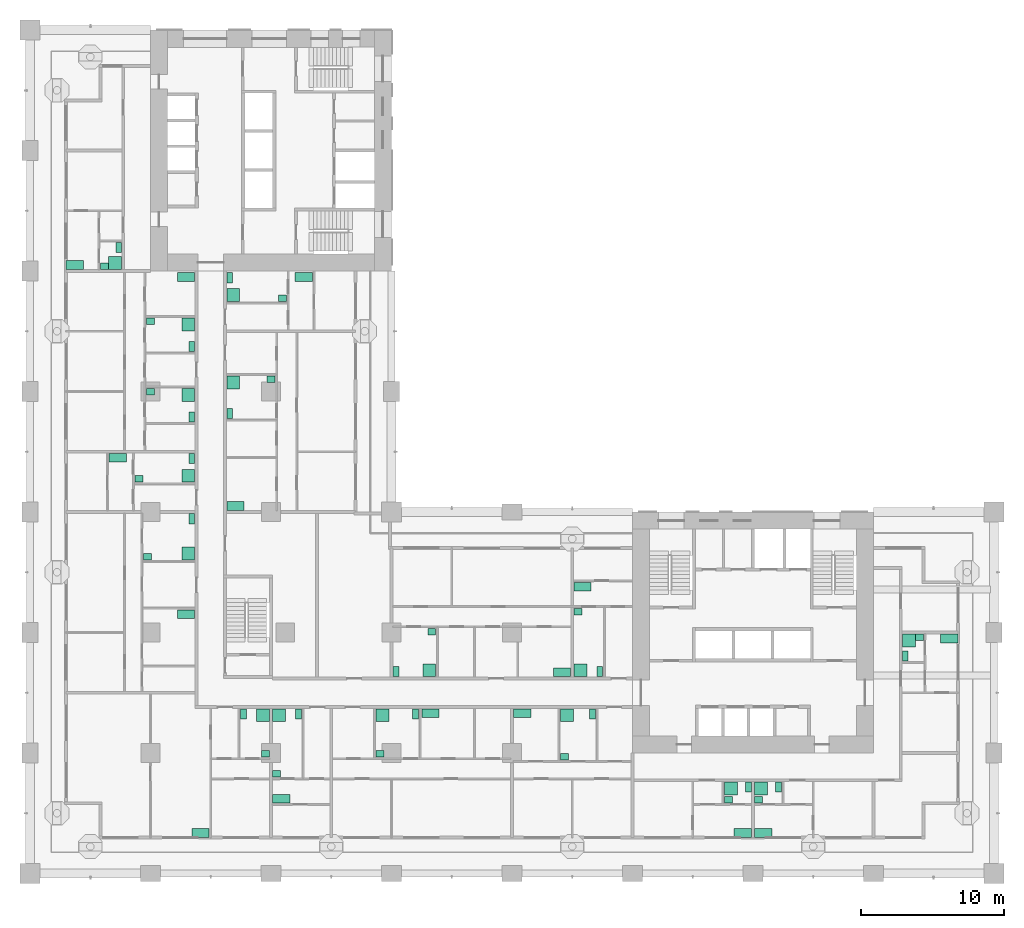
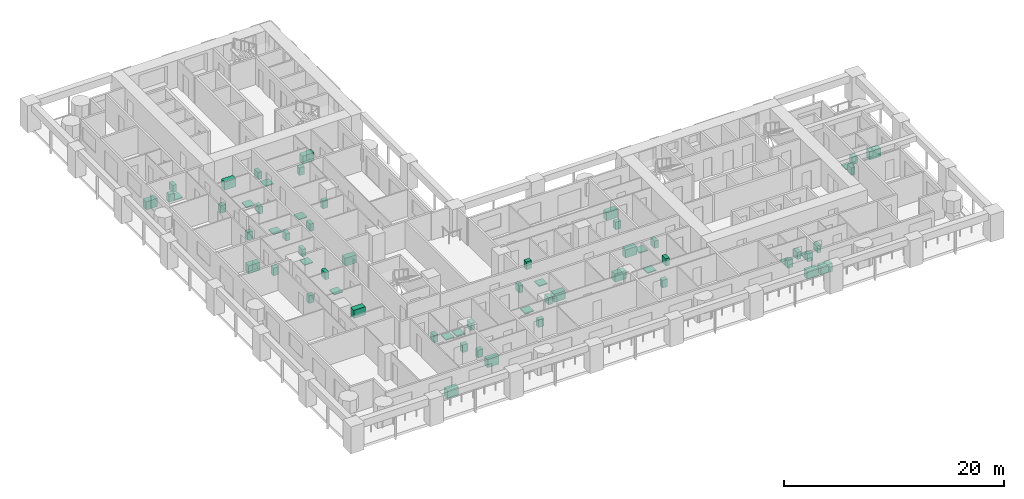
# One storey, part 19 of 21: 63 sanitary terminals.
"""IFC4 building model written with IfcOpenShell, lengths in metres."""

from ifc_helpers import new_model, si_unit, direction, frame, origin, origin_2d, place, context, subcontext, project, spatial, rectangle, extrude, material, element, save


model = new_model("IFC4")

# Units and contexts
model_context = context("Model", 3, precision=1e-05, world=origin(), true_north=direction((0.0, 1.0)))
body_context = subcontext(model_context, "Body", "Model", "MODEL_VIEW")
ifc_project = project(units=[si_unit("LENGTHUNIT", "METRE"), si_unit("AREAUNIT", "SQUARE_METRE"), si_unit("VOLUMEUNIT", "CUBIC_METRE"), si_unit("PLANEANGLEUNIT", "RADIAN"), si_unit("MASSUNIT", "GRAM", prefix="KILO")], contexts=[model_context])

# Site, building, storey
site_placement = place(None, origin())
site = spatial("IfcSite", under=ifc_project, at=site_placement, CompositionType="ELEMENT")
building_placement = place(site_placement, origin())
building = spatial("IfcBuilding", under=site, at=building_placement, Name="Vermilion Gate Residences", CompositionType="ELEMENT")
storey_placement = place(building_placement, frame((0.0, 0.0, 70.699951171875)))
storey = spatial("IfcBuildingStorey", under=building, at=storey_placement, Name="L17", CompositionType="ELEMENT", Elevation=70.699951171875)

# Sanitary terminals
ifc_material_1 = material(Name="Stainless steel", Category="steel")
sanitary_terminal_1_placement = place(storey_placement, frame((11.8798828125, 2.820068359375, 0.0), z_axis=(0.0, 0.0, 1.0), x_axis=(1.0, 0.0, 0.0)))
element("IfcSanitaryTerminal", 1, at=sanitary_terminal_1_placement, inside=storey, material=ifc_material_1, Name="Kitchen sink", PredefinedType="SINK", context=body_context, shape_type="SweptSolid", body=[
    extrude(rectangle(XDim=1.199951171875, YDim=0.60009765625, at=origin_2d()), origin(), (0.0, 0.0, 1.0), 0.89990234375),
])
ifc_material_2 = material(Name="Vitreous china")
sanitary_terminal_2_placement = place(storey_placement, frame((16.22998046875, 11.030029296875, 0.0), z_axis=(0.0, 0.0, 1.0), x_axis=(1.0, 0.0, 0.0)))
element("IfcSanitaryTerminal", 2, at=sanitary_terminal_2_placement, inside=storey, material=ifc_material_2, Name="Shower tray", PredefinedType="SHOWER", context=body_context, shape_type="SweptSolid", body=[
    extrude(rectangle(XDim=0.89990234375, YDim=0.89990234375, at=origin_2d()), origin(), (0.0, 0.0, 1.0), 0.10009765625),
])
sanitary_terminal_3_placement = place(storey_placement, frame((14.8798828125, 11.1298828125, 0.0), z_axis=(0.0, 0.0, 1.0), x_axis=(1.0, 0.0, 0.0)))
element("IfcSanitaryTerminal", 3, at=sanitary_terminal_3_placement, inside=storey, material=ifc_material_2, Name="Toilet", PredefinedType="TOILETPAN", context=body_context, shape_type="SweptSolid", body=[
    extrude(rectangle(XDim=0.39990234375, YDim=0.699951171875, at=origin_2d()), origin(), (0.0, 0.0, 1.0), 0.800048828125),
])
sanitary_terminal_4_placement = place(storey_placement, frame((16.405029296875, 8.344970703125, 0.0), z_axis=(0.0, 0.0, 1.0), x_axis=(1.0, 0.0, 0.0)))
element("IfcSanitaryTerminal", 4, at=sanitary_terminal_4_placement, inside=storey, material=ifc_material_2, Name="Wash basin", PredefinedType="WASHHANDBASIN", context=body_context, shape_type="SweptSolid", body=[
    extrude(rectangle(XDim=0.550048828125, YDim=0.449951171875, at=origin_2d()), origin(), (0.0, 0.0, 1.0), 0.85009765625),
])
sanitary_terminal_5_placement = place(storey_placement, frame((17.52001953125, 5.219970703125, 0.0), z_axis=(0.0, 0.0, 1.0), x_axis=(1.0, 0.0, 0.0)))
element("IfcSanitaryTerminal", 5, at=sanitary_terminal_5_placement, inside=storey, material=ifc_material_1, Name="Kitchen sink", PredefinedType="SINK", context=body_context, shape_type="SweptSolid", body=[
    extrude(rectangle(XDim=1.199951171875, YDim=0.60009765625, at=origin_2d()), origin(), (0.0, 0.0, 1.0), 0.89990234375),
])
sanitary_terminal_6_placement = place(storey_placement, frame((17.3701171875, 11.030029296875, 0.0), z_axis=(0.0, 0.0, 1.0), x_axis=(1.0, 0.0, 0.0)))
element("IfcSanitaryTerminal", 6, at=sanitary_terminal_6_placement, inside=storey, material=ifc_material_2, Name="Shower tray", PredefinedType="SHOWER", context=body_context, shape_type="SweptSolid", body=[
    extrude(rectangle(XDim=0.89990234375, YDim=0.89990234375, at=origin_2d()), origin(), (0.0, 0.0, 1.0), 0.10009765625),
])
sanitary_terminal_7_placement = place(storey_placement, frame((18.719970703125, 11.1298828125, 0.0), z_axis=(0.0, 0.0, 1.0), x_axis=(1.0, 0.0, 0.0)))
element("IfcSanitaryTerminal", 7, at=sanitary_terminal_7_placement, inside=storey, material=ifc_material_2, Name="Toilet", PredefinedType="TOILETPAN", context=body_context, shape_type="SweptSolid", body=[
    extrude(rectangle(XDim=0.39990234375, YDim=0.699951171875, at=origin_2d()), origin(), (0.0, 0.0, 1.0), 0.800048828125),
])
sanitary_terminal_8_placement = place(storey_placement, frame((17.195068359375, 6.945068359375, 0.0), z_axis=(0.0, 0.0, 1.0), x_axis=(1.0, 0.0, 0.0)))
element("IfcSanitaryTerminal", 8, at=sanitary_terminal_8_placement, inside=storey, material=ifc_material_2, Name="Wash basin", PredefinedType="WASHHANDBASIN", context=body_context, shape_type="SweptSolid", body=[
    extrude(rectangle(XDim=0.550048828125, YDim=0.449951171875, at=origin_2d()), origin(), (0.0, 0.0, 1.0), 0.85009765625),
])
sanitary_terminal_9_placement = place(storey_placement, frame((24.570068359375, 11.030029296875, 0.0), z_axis=(0.0, 0.0, 1.0), x_axis=(1.0, 0.0, 0.0)))
element("IfcSanitaryTerminal", 9, at=sanitary_terminal_9_placement, inside=storey, material=ifc_material_2, Name="Shower tray", PredefinedType="SHOWER", context=body_context, shape_type="SweptSolid", body=[
    extrude(rectangle(XDim=0.89990234375, YDim=0.89990234375, at=origin_2d()), origin(), (0.0, 0.0, 1.0), 0.10009765625),
])
sanitary_terminal_10_placement = place(storey_placement, frame((26.8798828125, 11.1298828125, 0.0), z_axis=(0.0, 0.0, 1.0), x_axis=(1.0, 0.0, 0.0)))
element("IfcSanitaryTerminal", 10, at=sanitary_terminal_10_placement, inside=storey, material=ifc_material_2, Name="Toilet", PredefinedType="TOILETPAN", context=body_context, shape_type="SweptSolid", body=[
    extrude(rectangle(XDim=0.39990234375, YDim=0.699951171875, at=origin_2d()), origin(), (0.0, 0.0, 1.0), 0.800048828125),
])
sanitary_terminal_11_placement = place(storey_placement, frame((24.39501953125, 8.344970703125, 0.0), z_axis=(0.0, 0.0, 1.0), x_axis=(1.0, 0.0, 0.0)))
element("IfcSanitaryTerminal", 11, at=sanitary_terminal_11_placement, inside=storey, material=ifc_material_2, Name="Wash basin", PredefinedType="WASHHANDBASIN", context=body_context, shape_type="SweptSolid", body=[
    extrude(rectangle(XDim=0.550048828125, YDim=0.449951171875, at=origin_2d()), origin(), (0.0, 0.0, 1.0), 0.85009765625),
])
for number, where, z_axis, x_axis, name in (
    (12, (27.919921875, 11.179931640625, 0.0), (0.0, 0.0, 1.0), (1.0, 0.0, 0.0), "Kitchen sink"),
    (13, (34.320068359375, 11.179931640625, 0.0), (0.0, 0.0, 1.0), (1.0, 0.0, 0.0), "Kitchen sink"),
):
    element("IfcSanitaryTerminal", number, at=place(storey_placement, frame(where, z_axis=z_axis, x_axis=x_axis)), inside=storey, material=ifc_material_1, Name=name, PredefinedType="SINK", context=body_context, shape_type="SweptSolid", body=[
        extrude(rectangle(XDim=1.199951171875, YDim=0.60009765625, at=origin_2d()), origin(), (0.0, 0.0, 1.0), 0.89990234375),
    ])
sanitary_terminal_12_placement = place(storey_placement, frame((37.43701171875, 11.030029296875, 0.0), z_axis=(0.0, 0.0, 1.0), x_axis=(1.0, 0.0, 0.0)))
element("IfcSanitaryTerminal", 14, at=sanitary_terminal_12_placement, inside=storey, material=ifc_material_2, Name="Shower tray", PredefinedType="SHOWER", context=body_context, shape_type="SweptSolid", body=[
    extrude(rectangle(XDim=0.89990234375, YDim=0.89990234375, at=origin_2d()), origin(), (0.0, 0.0, 1.0), 0.10009765625),
])
sanitary_terminal_13_placement = place(storey_placement, frame((39.212890625, 11.1298828125, 0.0), z_axis=(0.0, 0.0, 1.0), x_axis=(1.0, 0.0, 0.0)))
element("IfcSanitaryTerminal", 15, at=sanitary_terminal_13_placement, inside=storey, material=ifc_material_2, Name="Toilet", PredefinedType="TOILETPAN", context=body_context, shape_type="SweptSolid", body=[
    extrude(rectangle(XDim=0.39990234375, YDim=0.699951171875, at=origin_2d()), origin(), (0.0, 0.0, 1.0), 0.800048828125),
])
sanitary_terminal_14_placement = place(storey_placement, frame((37.261962890625, 8.14501953125, 0.0), z_axis=(0.0, 0.0, 1.0), x_axis=(1.0, 0.0, 0.0)))
element("IfcSanitaryTerminal", 16, at=sanitary_terminal_14_placement, inside=storey, material=ifc_material_2, Name="Wash basin", PredefinedType="WASHHANDBASIN", context=body_context, shape_type="SweptSolid", body=[
    extrude(rectangle(XDim=0.550048828125, YDim=0.449951171875, at=origin_2d()), origin(), (0.0, 0.0, 1.0), 0.85009765625),
])
sanitary_terminal_15_placement = place(storey_placement, frame((27.830078125, 14.169921875, 0.0), z_axis=(0.0, 0.0, 1.0), x_axis=(1.0, 0.0, 0.0)))
element("IfcSanitaryTerminal", 17, at=sanitary_terminal_15_placement, inside=storey, material=ifc_material_2, Name="Shower tray", PredefinedType="SHOWER", context=body_context, shape_type="SweptSolid", body=[
    extrude(rectangle(XDim=0.89990234375, YDim=0.89990234375, at=origin_2d()), origin(), (0.0, 0.0, 1.0), 0.10009765625),
])
sanitary_terminal_16_placement = place(storey_placement, frame((25.52001953125, 14.070068359375, 0.0), z_axis=(0.0, 0.0, 1.0), x_axis=(1.0, 0.0, 0.0)))
element("IfcSanitaryTerminal", 18, at=sanitary_terminal_16_placement, inside=storey, material=ifc_material_2, Name="Toilet", PredefinedType="TOILETPAN", context=body_context, shape_type="SweptSolid", body=[
    extrude(rectangle(XDim=0.39990234375, YDim=0.699951171875, at=origin_2d()), origin(), (0.0, 0.0, 1.0), 0.800048828125),
])
sanitary_terminal_17_placement = place(storey_placement, frame((28.0048828125, 16.85498046875, 0.0), z_axis=(0.0, 0.0, 1.0), x_axis=(1.0, 0.0, 0.0)))
element("IfcSanitaryTerminal", 19, at=sanitary_terminal_17_placement, inside=storey, material=ifc_material_2, Name="Wash basin", PredefinedType="WASHHANDBASIN", context=body_context, shape_type="SweptSolid", body=[
    extrude(rectangle(XDim=0.550048828125, YDim=0.449951171875, at=origin_2d()), origin(), (0.0, 0.0, 1.0), 0.85009765625),
])
for number, where, z_axis, x_axis, name in (
    (20, (37.080078125, 14.02001953125, 0.0), (0.0, 0.0, 1.0), (1.0, 0.0, 0.0), "Kitchen sink"),
    (21, (38.52001953125, 19.97998046875, 0.0), (0.0, 0.0, 1.0), (1.0, 0.0, 0.0), "Kitchen sink"),
):
    element("IfcSanitaryTerminal", number, at=place(storey_placement, frame(where, z_axis=z_axis, x_axis=x_axis)), inside=storey, material=ifc_material_1, Name=name, PredefinedType="SINK", context=body_context, shape_type="SweptSolid", body=[
        extrude(rectangle(XDim=1.199951171875, YDim=0.60009765625, at=origin_2d()), origin(), (0.0, 0.0, 1.0), 0.89990234375),
    ])
sanitary_terminal_18_placement = place(storey_placement, frame((38.3701171875, 14.169921875, 0.0), z_axis=(0.0, 0.0, 1.0), x_axis=(1.0, 0.0, 0.0)))
element("IfcSanitaryTerminal", 22, at=sanitary_terminal_18_placement, inside=storey, material=ifc_material_2, Name="Shower tray", PredefinedType="SHOWER", context=body_context, shape_type="SweptSolid", body=[
    extrude(rectangle(XDim=0.89990234375, YDim=0.89990234375, at=origin_2d()), origin(), (0.0, 0.0, 1.0), 0.10009765625),
])
sanitary_terminal_19_placement = place(storey_placement, frame((39.719970703125, 14.070068359375, 0.0), z_axis=(0.0, 0.0, 1.0), x_axis=(1.0, 0.0, 0.0)))
element("IfcSanitaryTerminal", 23, at=sanitary_terminal_19_placement, inside=storey, material=ifc_material_2, Name="Toilet", PredefinedType="TOILETPAN", context=body_context, shape_type="SweptSolid", body=[
    extrude(rectangle(XDim=0.39990234375, YDim=0.699951171875, at=origin_2d()), origin(), (0.0, 0.0, 1.0), 0.800048828125),
])
sanitary_terminal_20_placement = place(storey_placement, frame((38.195068359375, 18.2548828125, 0.0), z_axis=(0.0, 0.0, 1.0), x_axis=(1.0, 0.0, 0.0)))
element("IfcSanitaryTerminal", 24, at=sanitary_terminal_20_placement, inside=storey, material=ifc_material_2, Name="Wash basin", PredefinedType="WASHHANDBASIN", context=body_context, shape_type="SweptSolid", body=[
    extrude(rectangle(XDim=0.550048828125, YDim=0.449951171875, at=origin_2d()), origin(), (0.0, 0.0, 1.0), 0.85009765625),
])
sanitary_terminal_21_placement = place(storey_placement, frame((10.8798828125, 18.080078125, 0.0), z_axis=(0.0, 0.0, 1.0), x_axis=(1.0, 0.0, 0.0)))
element("IfcSanitaryTerminal", 25, at=sanitary_terminal_21_placement, inside=storey, material=ifc_material_1, Name="Kitchen sink", PredefinedType="SINK", context=body_context, shape_type="SweptSolid", body=[
    extrude(rectangle(XDim=1.199951171875, YDim=0.60009765625, at=origin_2d()), origin(), (0.0, 0.0, 1.0), 0.89990234375),
])
sanitary_terminal_22_placement = place(storey_placement, frame((11.030029296875, 22.320068359375, 0.0), z_axis=(0.0, 0.0, 1.0), x_axis=(1.0, 0.0, 0.0)))
element("IfcSanitaryTerminal", 26, at=sanitary_terminal_22_placement, inside=storey, material=ifc_material_2, Name="Shower tray", PredefinedType="SHOWER", context=body_context, shape_type="SweptSolid", body=[
    extrude(rectangle(XDim=0.89990234375, YDim=0.89990234375, at=origin_2d()), origin(), (0.0, 0.0, 1.0), 0.10009765625),
])
sanitary_terminal_23_placement = place(storey_placement, frame((11.280029296875, 24.72998046875, 0.0), z_axis=(0.0, 0.0, 1.0), x_axis=(1.0, 0.0, 0.0)))
element("IfcSanitaryTerminal", 27, at=sanitary_terminal_23_placement, inside=storey, material=ifc_material_2, Name="Toilet", PredefinedType="TOILETPAN", context=body_context, shape_type="SweptSolid", body=[
    extrude(rectangle(XDim=0.39990234375, YDim=0.699951171875, at=origin_2d()), origin(), (0.0, 0.0, 1.0), 0.800048828125),
])
sanitary_terminal_24_placement = place(storey_placement, frame((8.195068359375, 22.094970703125, 0.0), z_axis=(0.0, 0.0, 1.0), x_axis=(1.0, 0.0, 0.0)))
element("IfcSanitaryTerminal", 28, at=sanitary_terminal_24_placement, inside=storey, material=ifc_material_2, Name="Wash basin", PredefinedType="WASHHANDBASIN", context=body_context, shape_type="SweptSolid", body=[
    extrude(rectangle(XDim=0.550048828125, YDim=0.449951171875, at=origin_2d()), origin(), (0.0, 0.0, 1.0), 0.85009765625),
])
sanitary_terminal_25_placement = place(storey_placement, frame((6.1201171875, 28.97998046875, 0.0), z_axis=(0.0, 0.0, 1.0), x_axis=(1.0, 0.0, 0.0)))
element("IfcSanitaryTerminal", 29, at=sanitary_terminal_25_placement, inside=storey, material=ifc_material_1, Name="Kitchen sink", PredefinedType="SINK", context=body_context, shape_type="SweptSolid", body=[
    extrude(rectangle(XDim=1.199951171875, YDim=0.60009765625, at=origin_2d()), origin(), (0.0, 0.0, 1.0), 0.89990234375),
])
sanitary_terminal_26_placement = place(storey_placement, frame((11.030029296875, 27.72998046875, 0.0), z_axis=(0.0, 0.0, 1.0), x_axis=(1.0, 0.0, 0.0)))
element("IfcSanitaryTerminal", 30, at=sanitary_terminal_26_placement, inside=storey, material=ifc_material_2, Name="Shower tray", PredefinedType="SHOWER", context=body_context, shape_type="SweptSolid", body=[
    extrude(rectangle(XDim=0.89990234375, YDim=0.89990234375, at=origin_2d()), origin(), (0.0, 0.0, 1.0), 0.10009765625),
])
sanitary_terminal_27_placement = place(storey_placement, frame((11.280029296875, 28.929931640625, 0.0), z_axis=(0.0, 0.0, 1.0), x_axis=(1.0, 0.0, 0.0)))
element("IfcSanitaryTerminal", 31, at=sanitary_terminal_27_placement, inside=storey, material=ifc_material_2, Name="Toilet", PredefinedType="TOILETPAN", context=body_context, shape_type="SweptSolid", body=[
    extrude(rectangle(XDim=0.39990234375, YDim=0.699951171875, at=origin_2d()), origin(), (0.0, 0.0, 1.0), 0.800048828125),
])
sanitary_terminal_28_placement = place(storey_placement, frame((7.594970703125, 27.5048828125, 0.0), z_axis=(0.0, 0.0, 1.0), x_axis=(1.0, 0.0, 0.0)))
element("IfcSanitaryTerminal", 32, at=sanitary_terminal_28_placement, inside=storey, material=ifc_material_2, Name="Wash basin", PredefinedType="WASHHANDBASIN", context=body_context, shape_type="SweptSolid", body=[
    extrude(rectangle(XDim=0.550048828125, YDim=0.449951171875, at=origin_2d()), origin(), (0.0, 0.0, 1.0), 0.85009765625),
])
sanitary_terminal_29_placement = place(storey_placement, frame((11.030029296875, 33.35009765625, 0.0), z_axis=(0.0, 0.0, 1.0), x_axis=(1.0, 0.0, 0.0)))
element("IfcSanitaryTerminal", 33, at=sanitary_terminal_29_placement, inside=storey, material=ifc_material_2, Name="Shower tray", PredefinedType="SHOWER", context=body_context, shape_type="SweptSolid", body=[
    extrude(rectangle(XDim=0.89990234375, YDim=0.89990234375, at=origin_2d()), origin(), (0.0, 0.0, 1.0), 0.10009765625),
])
sanitary_terminal_30_placement = place(storey_placement, frame((11.280029296875, 31.830078125, 0.0), z_axis=(0.0, 0.0, 1.0), x_axis=(1.0, 0.0, 0.0)))
element("IfcSanitaryTerminal", 34, at=sanitary_terminal_30_placement, inside=storey, material=ifc_material_2, Name="Toilet", PredefinedType="TOILETPAN", context=body_context, shape_type="SweptSolid", body=[
    extrude(rectangle(XDim=0.39990234375, YDim=0.699951171875, at=origin_2d()), origin(), (0.0, 0.0, 1.0), 0.800048828125),
])
sanitary_terminal_31_placement = place(storey_placement, frame((8.39501953125, 33.574951171875, 0.0), z_axis=(0.0, 0.0, 1.0), x_axis=(1.0, 0.0, 0.0)))
element("IfcSanitaryTerminal", 35, at=sanitary_terminal_31_placement, inside=storey, material=ifc_material_2, Name="Wash basin", PredefinedType="WASHHANDBASIN", context=body_context, shape_type="SweptSolid", body=[
    extrude(rectangle(XDim=0.550048828125, YDim=0.449951171875, at=origin_2d()), origin(), (0.0, 0.0, 1.0), 0.85009765625),
])
sanitary_terminal_32_placement = place(storey_placement, frame((11.030029296875, 38.27001953125, 0.0), z_axis=(0.0, 0.0, 1.0), x_axis=(1.0, 0.0, 0.0)))
element("IfcSanitaryTerminal", 36, at=sanitary_terminal_32_placement, inside=storey, material=ifc_material_2, Name="Shower tray", PredefinedType="SHOWER", context=body_context, shape_type="SweptSolid", body=[
    extrude(rectangle(XDim=0.89990234375, YDim=0.89990234375, at=origin_2d()), origin(), (0.0, 0.0, 1.0), 0.10009765625),
])
sanitary_terminal_33_placement = place(storey_placement, frame((11.280029296875, 36.75, 0.0), z_axis=(0.0, 0.0, 1.0), x_axis=(1.0, 0.0, 0.0)))
element("IfcSanitaryTerminal", 37, at=sanitary_terminal_33_placement, inside=storey, material=ifc_material_2, Name="Toilet", PredefinedType="TOILETPAN", context=body_context, shape_type="SweptSolid", body=[
    extrude(rectangle(XDim=0.39990234375, YDim=0.699951171875, at=origin_2d()), origin(), (0.0, 0.0, 1.0), 0.800048828125),
])
sanitary_terminal_34_placement = place(storey_placement, frame((8.39501953125, 38.4951171875, 0.0), z_axis=(0.0, 0.0, 1.0), x_axis=(1.0, 0.0, 0.0)))
element("IfcSanitaryTerminal", 38, at=sanitary_terminal_34_placement, inside=storey, material=ifc_material_2, Name="Wash basin", PredefinedType="WASHHANDBASIN", context=body_context, shape_type="SweptSolid", body=[
    extrude(rectangle(XDim=0.550048828125, YDim=0.449951171875, at=origin_2d()), origin(), (0.0, 0.0, 1.0), 0.85009765625),
])
for number, where, z_axis, x_axis, name in (
    (39, (10.8798828125, 41.580078125, 0.0), (0.0, 0.0, 1.0), (1.0, 0.0, 0.0), "Kitchen sink"),
    (40, (14.320068359375, 25.6201171875, 0.0), (0.0, 0.0, 1.0), (1.0, 0.0, 0.0), "Kitchen sink"),
):
    element("IfcSanitaryTerminal", number, at=place(storey_placement, frame(where, z_axis=z_axis, x_axis=x_axis)), inside=storey, material=ifc_material_1, Name=name, PredefinedType="SINK", context=body_context, shape_type="SweptSolid", body=[
        extrude(rectangle(XDim=1.199951171875, YDim=0.60009765625, at=origin_2d()), origin(), (0.0, 0.0, 1.0), 0.89990234375),
    ])
sanitary_terminal_35_placement = place(storey_placement, frame((14.169921875, 34.22998046875, 0.0), z_axis=(0.0, 0.0, 1.0), x_axis=(1.0, 0.0, 0.0)))
element("IfcSanitaryTerminal", 41, at=sanitary_terminal_35_placement, inside=storey, material=ifc_material_2, Name="Shower tray", PredefinedType="SHOWER", context=body_context, shape_type="SweptSolid", body=[
    extrude(rectangle(XDim=0.89990234375, YDim=0.89990234375, at=origin_2d()), origin(), (0.0, 0.0, 1.0), 0.10009765625),
])
sanitary_terminal_36_placement = place(storey_placement, frame((13.919921875, 32.070068359375, 0.0), z_axis=(0.0, 0.0, 1.0), x_axis=(1.0, 0.0, 0.0)))
element("IfcSanitaryTerminal", 42, at=sanitary_terminal_36_placement, inside=storey, material=ifc_material_2, Name="Toilet", PredefinedType="TOILETPAN", context=body_context, shape_type="SweptSolid", body=[
    extrude(rectangle(XDim=0.39990234375, YDim=0.699951171875, at=origin_2d()), origin(), (0.0, 0.0, 1.0), 0.800048828125),
])
sanitary_terminal_37_placement = place(storey_placement, frame((16.804931640625, 34.455078125, 0.0), z_axis=(0.0, 0.0, 1.0), x_axis=(1.0, 0.0, 0.0)))
element("IfcSanitaryTerminal", 43, at=sanitary_terminal_37_placement, inside=storey, material=ifc_material_2, Name="Wash basin", PredefinedType="WASHHANDBASIN", context=body_context, shape_type="SweptSolid", body=[
    extrude(rectangle(XDim=0.550048828125, YDim=0.449951171875, at=origin_2d()), origin(), (0.0, 0.0, 1.0), 0.85009765625),
])
sanitary_terminal_38_placement = place(storey_placement, frame((19.080078125, 41.580078125, 0.0), z_axis=(0.0, 0.0, 1.0), x_axis=(1.0, 0.0, 0.0)))
element("IfcSanitaryTerminal", 44, at=sanitary_terminal_38_placement, inside=storey, material=ifc_material_1, Name="Kitchen sink", PredefinedType="SINK", context=body_context, shape_type="SweptSolid", body=[
    extrude(rectangle(XDim=1.199951171875, YDim=0.60009765625, at=origin_2d()), origin(), (0.0, 0.0, 1.0), 0.89990234375),
])
sanitary_terminal_39_placement = place(storey_placement, frame((14.169921875, 40.330078125, 0.0), z_axis=(0.0, 0.0, 1.0), x_axis=(1.0, 0.0, 0.0)))
element("IfcSanitaryTerminal", 45, at=sanitary_terminal_39_placement, inside=storey, material=ifc_material_2, Name="Shower tray", PredefinedType="SHOWER", context=body_context, shape_type="SweptSolid", body=[
    extrude(rectangle(XDim=0.89990234375, YDim=0.89990234375, at=origin_2d()), origin(), (0.0, 0.0, 1.0), 0.10009765625),
])
sanitary_terminal_40_placement = place(storey_placement, frame((13.919921875, 41.530029296875, 0.0), z_axis=(0.0, 0.0, 1.0), x_axis=(1.0, 0.0, 0.0)))
element("IfcSanitaryTerminal", 46, at=sanitary_terminal_40_placement, inside=storey, material=ifc_material_2, Name="Toilet", PredefinedType="TOILETPAN", context=body_context, shape_type="SweptSolid", body=[
    extrude(rectangle(XDim=0.39990234375, YDim=0.699951171875, at=origin_2d()), origin(), (0.0, 0.0, 1.0), 0.800048828125),
])
sanitary_terminal_41_placement = place(storey_placement, frame((17.60498046875, 40.10498046875, 0.0), z_axis=(0.0, 0.0, 1.0), x_axis=(1.0, 0.0, 0.0)))
element("IfcSanitaryTerminal", 47, at=sanitary_terminal_41_placement, inside=storey, material=ifc_material_2, Name="Wash basin", PredefinedType="WASHHANDBASIN", context=body_context, shape_type="SweptSolid", body=[
    extrude(rectangle(XDim=0.550048828125, YDim=0.449951171875, at=origin_2d()), origin(), (0.0, 0.0, 1.0), 0.85009765625),
])
sanitary_terminal_42_placement = place(storey_placement, frame((49.679931640625, 2.820068359375, 0.0), z_axis=(0.0, 0.0, 1.0), x_axis=(1.0, 0.0, 0.0)))
element("IfcSanitaryTerminal", 48, at=sanitary_terminal_42_placement, inside=storey, material=ifc_material_1, Name="Kitchen sink", PredefinedType="SINK", context=body_context, shape_type="SweptSolid", body=[
    extrude(rectangle(XDim=1.199951171875, YDim=0.60009765625, at=origin_2d()), origin(), (0.0, 0.0, 1.0), 0.89990234375),
])
sanitary_terminal_43_placement = place(storey_placement, frame((48.8701171875, 5.929931640625, 0.0), z_axis=(0.0, 0.0, 1.0), x_axis=(1.0, 0.0, 0.0)))
element("IfcSanitaryTerminal", 49, at=sanitary_terminal_43_placement, inside=storey, material=ifc_material_2, Name="Shower tray", PredefinedType="SHOWER", context=body_context, shape_type="SweptSolid", body=[
    extrude(rectangle(XDim=0.89990234375, YDim=0.89990234375, at=origin_2d()), origin(), (0.0, 0.0, 1.0), 0.10009765625),
])
sanitary_terminal_44_placement = place(storey_placement, frame((50.080078125, 6.030029296875, 0.0), z_axis=(0.0, 0.0, 1.0), x_axis=(1.0, 0.0, 0.0)))
element("IfcSanitaryTerminal", 50, at=sanitary_terminal_44_placement, inside=storey, material=ifc_material_2, Name="Toilet", PredefinedType="TOILETPAN", context=body_context, shape_type="SweptSolid", body=[
    extrude(rectangle(XDim=0.39990234375, YDim=0.699951171875, at=origin_2d()), origin(), (0.0, 0.0, 1.0), 0.800048828125),
])
sanitary_terminal_45_placement = place(storey_placement, frame((48.695068359375, 5.14501953125, 0.0), z_axis=(0.0, 0.0, 1.0), x_axis=(1.0, 0.0, 0.0)))
element("IfcSanitaryTerminal", 51, at=sanitary_terminal_45_placement, inside=storey, material=ifc_material_2, Name="Wash basin", PredefinedType="WASHHANDBASIN", context=body_context, shape_type="SweptSolid", body=[
    extrude(rectangle(XDim=0.550048828125, YDim=0.449951171875, at=origin_2d()), origin(), (0.0, 0.0, 1.0), 0.85009765625),
])
sanitary_terminal_46_placement = place(storey_placement, frame((51.1201171875, 2.820068359375, 0.0), z_axis=(0.0, 0.0, 1.0), x_axis=(1.0, 0.0, 0.0)))
element("IfcSanitaryTerminal", 52, at=sanitary_terminal_46_placement, inside=storey, material=ifc_material_1, Name="Kitchen sink", PredefinedType="SINK", context=body_context, shape_type="SweptSolid", body=[
    extrude(rectangle(XDim=1.199951171875, YDim=0.60009765625, at=origin_2d()), origin(), (0.0, 0.0, 1.0), 0.89990234375),
])
sanitary_terminal_47_placement = place(storey_placement, frame((50.969970703125, 5.929931640625, 0.0), z_axis=(0.0, 0.0, 1.0), x_axis=(1.0, 0.0, 0.0)))
element("IfcSanitaryTerminal", 53, at=sanitary_terminal_47_placement, inside=storey, material=ifc_material_2, Name="Shower tray", PredefinedType="SHOWER", context=body_context, shape_type="SweptSolid", body=[
    extrude(rectangle(XDim=0.89990234375, YDim=0.89990234375, at=origin_2d()), origin(), (0.0, 0.0, 1.0), 0.10009765625),
])
sanitary_terminal_48_placement = place(storey_placement, frame((52.179931640625, 6.030029296875, 0.0), z_axis=(0.0, 0.0, 1.0), x_axis=(1.0, 0.0, 0.0)))
element("IfcSanitaryTerminal", 54, at=sanitary_terminal_48_placement, inside=storey, material=ifc_material_2, Name="Toilet", PredefinedType="TOILETPAN", context=body_context, shape_type="SweptSolid", body=[
    extrude(rectangle(XDim=0.39990234375, YDim=0.699951171875, at=origin_2d()), origin(), (0.0, 0.0, 1.0), 0.800048828125),
])
sanitary_terminal_49_placement = place(storey_placement, frame((50.794921875, 5.14501953125, 0.0), z_axis=(0.0, 0.0, 1.0), x_axis=(1.0, 0.0, 0.0)))
element("IfcSanitaryTerminal", 55, at=sanitary_terminal_49_placement, inside=storey, material=ifc_material_2, Name="Wash basin", PredefinedType="WASHHANDBASIN", context=body_context, shape_type="SweptSolid", body=[
    extrude(rectangle(XDim=0.550048828125, YDim=0.449951171875, at=origin_2d()), origin(), (0.0, 0.0, 1.0), 0.85009765625),
])
sanitary_terminal_50_placement = place(storey_placement, frame((64.080078125, 16.3798828125, 0.0), z_axis=(0.0, 0.0, 1.0), x_axis=(1.0, 0.0, 0.0)))
element("IfcSanitaryTerminal", 56, at=sanitary_terminal_50_placement, inside=storey, material=ifc_material_1, Name="Kitchen sink", PredefinedType="SINK", context=body_context, shape_type="SweptSolid", body=[
    extrude(rectangle(XDim=1.199951171875, YDim=0.60009765625, at=origin_2d()), origin(), (0.0, 0.0, 1.0), 0.89990234375),
])
sanitary_terminal_51_placement = place(storey_placement, frame((61.27001953125, 16.22998046875, 0.0), z_axis=(0.0, 0.0, 1.0), x_axis=(1.0, 0.0, 0.0)))
element("IfcSanitaryTerminal", 57, at=sanitary_terminal_51_placement, inside=storey, material=ifc_material_2, Name="Shower tray", PredefinedType="SHOWER", context=body_context, shape_type="SweptSolid", body=[
    extrude(rectangle(XDim=0.89990234375, YDim=0.89990234375, at=origin_2d()), origin(), (0.0, 0.0, 1.0), 0.10009765625),
])
sanitary_terminal_52_placement = place(storey_placement, frame((61.02001953125, 15.169921875, 0.0), z_axis=(0.0, 0.0, 1.0), x_axis=(1.0, 0.0, 0.0)))
element("IfcSanitaryTerminal", 58, at=sanitary_terminal_52_placement, inside=storey, material=ifc_material_2, Name="Toilet", PredefinedType="TOILETPAN", context=body_context, shape_type="SweptSolid", body=[
    extrude(rectangle(XDim=0.39990234375, YDim=0.699951171875, at=origin_2d()), origin(), (0.0, 0.0, 1.0), 0.800048828125),
])
sanitary_terminal_53_placement = place(storey_placement, frame((62.0048828125, 16.455078125, 0.0), z_axis=(0.0, 0.0, 1.0), x_axis=(1.0, 0.0, 0.0)))
element("IfcSanitaryTerminal", 59, at=sanitary_terminal_53_placement, inside=storey, material=ifc_material_2, Name="Wash basin", PredefinedType="WASHHANDBASIN", context=body_context, shape_type="SweptSolid", body=[
    extrude(rectangle(XDim=0.550048828125, YDim=0.449951171875, at=origin_2d()), origin(), (0.0, 0.0, 1.0), 0.85009765625),
])
sanitary_terminal_54_placement = place(storey_placement, frame((3.1201171875, 42.419921875, 0.0), z_axis=(0.0, 0.0, 1.0), x_axis=(1.0, 0.0, 0.0)))
element("IfcSanitaryTerminal", 60, at=sanitary_terminal_54_placement, inside=storey, material=ifc_material_1, Name="Kitchen sink", PredefinedType="SINK", context=body_context, shape_type="SweptSolid", body=[
    extrude(rectangle(XDim=1.199951171875, YDim=0.60009765625, at=origin_2d()), origin(), (0.0, 0.0, 1.0), 0.89990234375),
])
sanitary_terminal_55_placement = place(storey_placement, frame((5.929931640625, 42.570068359375, 0.0), z_axis=(0.0, 0.0, 1.0), x_axis=(1.0, 0.0, 0.0)))
element("IfcSanitaryTerminal", 61, at=sanitary_terminal_55_placement, inside=storey, material=ifc_material_2, Name="Shower tray", PredefinedType="SHOWER", context=body_context, shape_type="SweptSolid", body=[
    extrude(rectangle(XDim=0.89990234375, YDim=0.89990234375, at=origin_2d()), origin(), (0.0, 0.0, 1.0), 0.10009765625),
])
sanitary_terminal_56_placement = place(storey_placement, frame((6.179931640625, 43.6298828125, 0.0), z_axis=(0.0, 0.0, 1.0), x_axis=(1.0, 0.0, 0.0)))
element("IfcSanitaryTerminal", 62, at=sanitary_terminal_56_placement, inside=storey, material=ifc_material_2, Name="Toilet", PredefinedType="TOILETPAN", context=body_context, shape_type="SweptSolid", body=[
    extrude(rectangle(XDim=0.39990234375, YDim=0.699951171875, at=origin_2d()), origin(), (0.0, 0.0, 1.0), 0.800048828125),
])
sanitary_terminal_57_placement = place(storey_placement, frame((5.195068359375, 42.344970703125, 0.0), z_axis=(0.0, 0.0, 1.0), x_axis=(1.0, 0.0, 0.0)))
element("IfcSanitaryTerminal", 63, at=sanitary_terminal_57_placement, inside=storey, material=ifc_material_2, Name="Wash basin", PredefinedType="WASHHANDBASIN", context=body_context, shape_type="SweptSolid", body=[
    extrude(rectangle(XDim=0.550048828125, YDim=0.449951171875, at=origin_2d()), origin(), (0.0, 0.0, 1.0), 0.85009765625),
])

save(model, "model.ifc")
